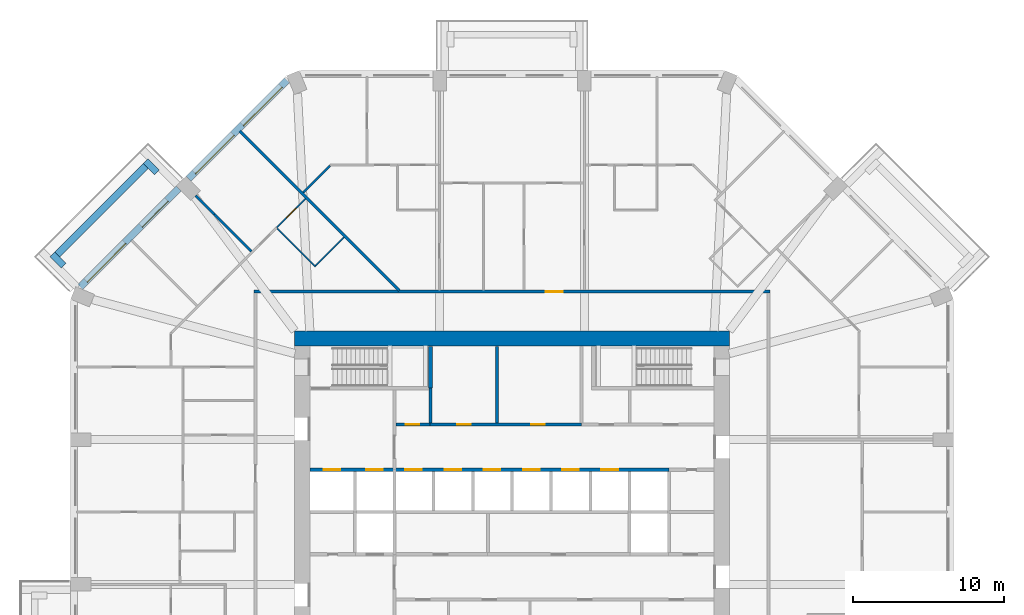
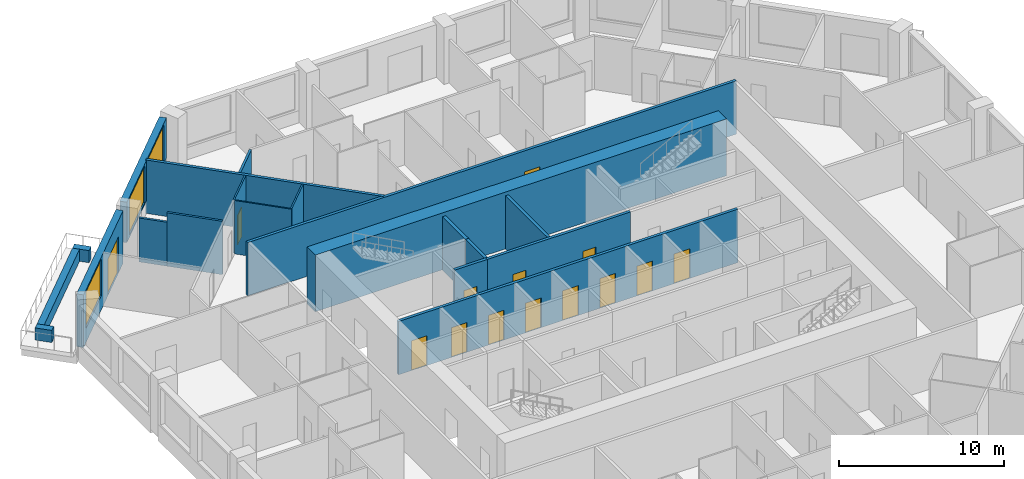
# One storey, part 8 of 13: 20 walls, 14 doors, 3 windows, 17 openings.
"""IFC4 building model written with IfcOpenShell, lengths in metres."""

from ifc_helpers import new_model, si_unit, direction, frame, frame_2d, origin, place, context, subcontext, project, spatial, rectangle, extrude, material, layer, layer_set, type_object, element, fill, save


model = new_model("IFC4")

# Units and contexts
model_context = context("Model", 3, precision=1e-05, world=origin(), true_north=direction((0.0, 1.0)))
body_context = subcontext(model_context, "Body", "Model", "MODEL_VIEW")
ifc_project = project(units=[si_unit("LENGTHUNIT", "METRE"), si_unit("AREAUNIT", "SQUARE_METRE"), si_unit("VOLUMEUNIT", "CUBIC_METRE"), si_unit("PLANEANGLEUNIT", "RADIAN"), si_unit("MASSUNIT", "GRAM", prefix="KILO")], contexts=[model_context])

# Site, building, storey
site_placement = place(None, origin())
site = spatial("IfcSite", under=ifc_project, at=site_placement, CompositionType="ELEMENT")
building_placement = place(site_placement, origin())
building = spatial("IfcBuilding", under=site, at=building_placement, Name="Msitu Wima Residences", CompositionType="ELEMENT")
storey_placement = place(building_placement, frame((0.0, 0.0, 80.10009765625)))
storey = spatial("IfcBuildingStorey", under=building, at=storey_placement, Name="L18", CompositionType="ELEMENT", Elevation=80.10009765625)

# Walls
ifc_material_1 = material(Name="Facing brick")
ifc_layer_1 = layer(ifc_material_1, 0.06494140625, Name="Facing brick")
ifc_material_2 = material(Name="Concrete C40/50", Category="concrete")
ifc_layer_2 = layer(ifc_material_2, 0.156005859375, Name="Concrete C40/50")
ifc_material_3 = material(Name="Waterproofing membrane")
ifc_layer_3 = layer(ifc_material_3, 0.00390625, Name="Waterproofing membrane")
ifc_material_4 = material(Name="Planting soil and planting")
ifc_layer_4 = layer(ifc_material_4, 0.22509765625, Name="Planting soil and planting")
ifc_layer_set_1 = layer_set([ifc_layer_1, ifc_layer_2, ifc_layer_3, ifc_layer_4], Name="Concrete C40/50")
wall_type_1 = type_object("IfcWallType", Name="Balcony planter PLANTER PL450", PredefinedType="USERDEFINED", material=ifc_layer_set_1)
wall_1_placement = place(storey_placement, frame((-24.269287109375, 22.92578125, 0.0), z_axis=(0.0, 0.0, 1.0), x_axis=(-0.707106781187, -0.707106781187, 0.0)))
element("IfcWall", 1, at=wall_1_placement, inside=storey, type_object=wall_type_1, Name="Balcony planter NW1 L18", ObjectType="PLANTER", PredefinedType="USERDEFINED", context=body_context, shape_type="SweptSolid", body=[
    extrude(rectangle(XDim=8.2822265625, YDim=0.449951171875, at=frame_2d((4.14111328125, 0.0))), origin(), (0.0, 0.0, 1.0), 0.89990234375),
])
for number, where, z_axis, x_axis, name in (
    (2, (-23.52685546875, 22.50146484375, 0.0), (0.0, 0.0, 1.0), (-0.706990528533, 0.707223014731, 0.0), "Balcony planter NW1 L18"),
    (3, (-29.70166015625, 16.326904296875, 0.0), (0.0, 0.0, 1.0), (-0.707106781187, 0.707106781187, 0.0), "Balcony planter NW1 L18"),
):
    element("IfcWall", number, at=place(storey_placement, frame(where, z_axis=z_axis, x_axis=x_axis)), inside=storey, type_object=wall_type_1, Name=name, ObjectType="PLANTER", PredefinedType="USERDEFINED", context=body_context, shape_type="SweptSolid", body=[
        extrude(rectangle(XDim=1.050048828125, YDim=0.449951171875, at=frame_2d((0.52490234375, 0.0))), origin(), (0.0, 0.0, 1.0), 0.89990234375),
    ])

# Wall, openings, windows
ifc_material_5 = material(Name="Brick (red buff mix)", Category="masonry")
ifc_layer_5 = layer(ifc_material_5, 0.449951171875)
ifc_layer_set_2 = layer_set([ifc_layer_5], Name="Brick (red buff mix)")
wall_type_2 = type_object("IfcWallType", Name="Brick infill wall BW450", PredefinedType="SOLIDWALL", material=ifc_layer_set_2)
wall_2_placement = place(storey_placement, frame((-14.903564453125, 28.61474609375, 0.89990234375), z_axis=(0.0, 0.0, 1.0), x_axis=(-0.707106781187, -0.707106781187, 0.0)))
wall_2 = element("IfcWall", 4, at=wall_2_placement, inside=storey, type_object=wall_type_2, Name="Brick infill wall L18 NW0", PredefinedType="SOLIDWALL", context=body_context, shape_type="SweptSolid", body=[
    extrude(rectangle(XDim=9.2451171875, YDim=0.449951171875, at=frame_2d((4.62255859375, 0.0))), origin(), (0.0, 0.0, 1.0), 3.0),
])
opening_1_placement = place(wall_2_placement, frame((0.572509765625, 0.0, 0.14990234375)))
opening_1 = element("IfcOpeningElement", 5, at=opening_1_placement, cuts=wall_2, Name="Opening W18-20.014", PredefinedType="OPENING", context=body_context, shape_type="SweptSolid", body=[
    extrude(rectangle(XDim=3.60009765625, YDim=2.699951171875, at=frame_2d((1.800048828125, 1.35009765625))), frame((0.0, 0.23486328125, 0.0), z_axis=(0.0, -1.0, 0.0), x_axis=(1.0, 0.0, 0.0)), (0.0, 0.0, 1.0), 0.469970703125),
])
opening_2_placement = place(wall_2_placement, frame((5.072509765625, 0.0, 0.14990234375)))
opening_2 = element("IfcOpeningElement", 6, at=opening_2_placement, cuts=wall_2, Name="Opening W18-20.015", PredefinedType="OPENING", context=body_context, shape_type="SweptSolid", body=[
    extrude(rectangle(XDim=3.60009765625, YDim=2.699951171875, at=frame_2d((1.800048828125, 1.35009765625))), frame((0.0, 0.23486328125, 0.0), z_axis=(0.0, -1.0, 0.0), x_axis=(1.0, 0.0, 0.0)), (0.0, 0.0, 1.0), 0.469970703125),
])
ifc_material_6 = material(Name="Anodised aluminium, bronze finish, clear low-emissivity double glazing", Category="aluminium")
window_type = type_object("IfcWindowType", Name="Window W3600x2700", PartitioningType="DOUBLE_PANEL_VERTICAL", PredefinedType="WINDOW", material=ifc_material_6)
window_1_placement = place(opening_1_placement, origin())
window_1 = element("IfcWindow", 7, at=window_1_placement, inside=storey, type_object=window_type, Name="Window L18 NW0.1", OverallHeight=2.699951171875, OverallWidth=3.60009765625, PartitioningType="SINGLE_PANEL", PredefinedType="WINDOW", context=body_context, shape_type="SweptSolid", body=[
    extrude(rectangle(XDim=3.60009765625, YDim=2.699951171875, at=frame_2d((1.800048828125, 1.35009765625))), frame((0.0, 0.135009765625, 0.0), z_axis=(0.0, -1.0, 0.0), x_axis=(1.0, 0.0, 0.0)), (0.0, 0.0, 1.0), 0.06005859375),
])
fill(opening_1, window_1)
window_2_placement = place(opening_2_placement, origin())
window_2 = element("IfcWindow", 8, at=window_2_placement, inside=storey, type_object=window_type, Name="Window L18 NW0.2", OverallHeight=2.699951171875, OverallWidth=3.60009765625, PartitioningType="SINGLE_PANEL", PredefinedType="WINDOW", context=body_context, shape_type="SweptSolid", body=[
    extrude(rectangle(XDim=3.60009765625, YDim=2.699951171875, at=frame_2d((1.800048828125, 1.35009765625))), frame((0.0, 0.135009765625, 0.0), z_axis=(0.0, -1.0, 0.0), x_axis=(1.0, 0.0, 0.0)), (0.0, 0.0, 1.0), 0.06005859375),
])
fill(opening_2, window_2)

# Wall, openings, door, window
wall_3_placement = place(storey_placement, frame((-22.077392578125, 21.44091796875, 0.0), z_axis=(0.0, 0.0, 1.0), x_axis=(-0.707106781187, -0.707106781187, 0.0)))
wall_3 = element("IfcWall", 9, at=wall_3_placement, inside=storey, type_object=wall_type_2, Name="Brick infill wall L18 NW1", PredefinedType="SOLIDWALL", context=body_context, shape_type="SweptSolid", body=[
    extrude(rectangle(XDim=9.2451171875, YDim=0.449951171875, at=frame_2d((4.62255859375, 0.0))), origin(), (0.0, 0.0, 1.0), 3.89990234375),
])
opening_3_placement = place(wall_3_placement, frame((1.111328125, 0.0, 0.0)))
opening_3 = element("IfcOpeningElement", 10, at=opening_3_placement, cuts=wall_3, Name="Opening D18-20.004", PredefinedType="OPENING", context=body_context, shape_type="SweptSolid", body=[
    extrude(rectangle(XDim=2.39990234375, YDim=2.699951171875, at=frame_2d((1.199951171875, 1.35009765625))), frame((0.0, 0.23486328125, 0.0), z_axis=(0.0, -1.0, 0.0), x_axis=(1.0, 0.0, 0.0)), (0.0, 0.0, 1.0), 0.469970703125),
])
opening_4_placement = place(wall_3_placement, frame((5.072509765625, 0.0, 1.050048828125)))
opening_4 = element("IfcOpeningElement", 11, at=opening_4_placement, cuts=wall_3, Name="Opening W18-20.016", PredefinedType="OPENING", context=body_context, shape_type="SweptSolid", body=[
    extrude(rectangle(XDim=3.60009765625, YDim=2.699951171875, at=frame_2d((1.800048828125, 1.35009765625))), frame((0.0, 0.23486328125, 0.0), z_axis=(0.0, -1.0, 0.0), x_axis=(1.0, 0.0, 0.0)), (0.0, 0.0, 1.0), 0.469970703125),
])
door_type_1 = type_object("IfcDoorType", Name="Balcony door D2400x2700", OperationType="SLIDING_TO_LEFT", PredefinedType="DOOR", material=ifc_material_6)
door_1_placement = place(opening_3_placement, origin())
door_1 = element("IfcDoor", 12, at=door_1_placement, inside=storey, type_object=door_type_1, Name="Balcony door L18 NW1", OperationType="SINGLE_SWING_LEFT", OverallHeight=2.699951171875, OverallWidth=2.39990234375, PredefinedType="DOOR", context=body_context, shape_type="SweptSolid", body=[
    extrude(rectangle(XDim=2.39990234375, YDim=2.699951171875, at=frame_2d((1.199951171875, 1.35009765625))), frame((0.0, 0.1298828125, 0.0), z_axis=(0.0, -1.0, 0.0), x_axis=(1.0, 0.0, 0.0)), (0.0, 0.0, 1.0), 0.050048828125),
])
fill(opening_3, door_1)
window_3_placement = place(opening_4_placement, origin())
window_3 = element("IfcWindow", 13, at=window_3_placement, inside=storey, type_object=window_type, Name="Window L18 NW1.2", OverallHeight=2.699951171875, OverallWidth=3.60009765625, PartitioningType="SINGLE_PANEL", PredefinedType="WINDOW", context=body_context, shape_type="SweptSolid", body=[
    extrude(rectangle(XDim=3.60009765625, YDim=2.699951171875, at=frame_2d((1.800048828125, 1.35009765625))), frame((0.0, 0.135009765625, 0.0), z_axis=(0.0, -1.0, 0.0), x_axis=(1.0, 0.0, 0.0)), (0.0, 0.0, 1.0), 0.06005859375),
])
fill(opening_4, window_3)

# Wall
ifc_material_7 = material(Name="Concrete C80/95", Category="concrete")
ifc_layer_6 = layer(ifc_material_7, 1.0)
ifc_layer_set_3 = layer_set([ifc_layer_6], Name="Concrete C80/95")
wall_type_3 = type_object("IfcWallType", Name="Core wall CW1000 C80/95", PredefinedType="SHEAR", material=ifc_layer_set_3)
wall_4_placement = place(storey_placement, frame((-14.39990234375, 11.5, 0.0), z_axis=(0.0, 0.0, 1.0), x_axis=(1.0, 0.0, 0.0)))
element("IfcWall", 14, at=wall_4_placement, inside=storey, type_object=wall_type_3, Name="Core wall", PredefinedType="SHEAR", context=body_context, shape_type="SweptSolid", body=[
    extrude(rectangle(XDim=28.7998046875, YDim=1.0, at=frame_2d((14.39990234375, 0.0))), origin(), (0.0, 0.0, 1.0), 4.199951171875),
])

# Wall, opening, door
ifc_material_8 = material(Name="Plaster")
ifc_layer_7 = layer(ifc_material_8, 0.011962890625, Name="Plaster")
ifc_material_9 = material(Name="Concrete blockwork", Category="masonry")
ifc_layer_8 = layer(ifc_material_9, 0.176025390625, Name="Concrete blockwork")
ifc_layer_9 = layer(ifc_material_8, 0.011962890625, Name="Plaster")
ifc_layer_set_4 = layer_set([ifc_layer_7, ifc_layer_8, ifc_layer_9], Name="Concrete blockwork")
wall_type_4 = type_object("IfcWallType", Name="Corridor wall FW200", PredefinedType="PARTITIONING", material=ifc_layer_set_4)
wall_5_placement = place(storey_placement, frame((-17.10009765625, 14.60009765625, 0.0), z_axis=(0.0, 0.0, 1.0), x_axis=(1.0, 0.0, 0.0)))
wall_5 = element("IfcWall", 15, at=wall_5_placement, inside=storey, type_object=wall_type_4, Name="Corridor wall", PredefinedType="PARTITIONING", context=body_context, shape_type="SweptSolid", body=[
    extrude(rectangle(XDim=34.2001953125, YDim=0.199951171875, at=frame_2d((17.10009765625, 0.0))), origin(), (0.0, 0.0, 1.0), 3.949951171875),
])
opening_5_placement = place(wall_5_placement, frame((19.35009765625, 0.0, 0.0)))
opening_5 = element("IfcOpeningElement", 16, at=opening_5_placement, cuts=wall_5, Name="Opening D18-20.008", PredefinedType="OPENING", context=body_context, shape_type="SweptSolid", body=[
    extrude(rectangle(XDim=1.10009765625, YDim=2.39990234375, at=frame_2d((0.550048828125, 1.199951171875))), frame((0.0, 0.10986328125, 0.0), z_axis=(0.0, -1.0, 0.0), x_axis=(1.0, 0.0, 0.0)), (0.0, 0.0, 1.0), 0.219970703125),
])
ifc_material_10 = material(Name="Timber flush door, fire resisting, self-closing", Category="wood")
door_type_2 = type_object("IfcDoorType", Name="Flat entrance door D01 1100x2400", OperationType="SINGLE_SWING_LEFT", PredefinedType="DOOR", material=ifc_material_10)
door_2_placement = place(opening_5_placement, origin())
door_2 = element("IfcDoor", 17, at=door_2_placement, inside=storey, type_object=door_type_2, Name="Flat entrance door", OperationType="SINGLE_SWING_RIGHT", OverallHeight=2.39990234375, OverallWidth=1.10009765625, PredefinedType="DOOR", context=body_context, shape_type="SweptSolid", body=[
    extrude(rectangle(XDim=1.10009765625, YDim=2.39990234375, at=frame_2d((0.550048828125, 1.199951171875))), frame((0.0, 0.02490234375, 0.0), z_axis=(0.0, -1.0, 0.0), x_axis=(1.0, 0.0, 0.0)), (0.0, 0.0, 1.0), 0.050048828125),
])
fill(opening_5, door_2)

wall_6_placement = place(storey_placement, frame((-7.699951171875, 5.800048828125, 0.0), z_axis=(0.0, 0.0, 1.0), x_axis=(1.0, 0.0, 0.0)))
wall_6 = element("IfcWall", 18, at=wall_6_placement, inside=storey, type_object=wall_type_4, Name="Corridor wall", PredefinedType="PARTITIONING", context=body_context, shape_type="SweptSolid", body=[
    extrude(rectangle(XDim=2.280029296875, YDim=0.199951171875, at=frame_2d((1.14013671875, 0.0))), origin(), (0.0, 0.0, 1.0), 3.949951171875),
])
opening_6_placement = place(wall_6_placement, frame((0.64990234375, 0.0, 0.0)))
opening_6 = element("IfcOpeningElement", 19, at=opening_6_placement, cuts=wall_6, Name="Opening D18-20.016", PredefinedType="OPENING", context=body_context, shape_type="SweptSolid", body=[
    extrude(rectangle(XDim=0.89990234375, YDim=2.199951171875, at=frame_2d((0.449951171875, 1.10009765625))), frame((0.0, 0.10986328125, 0.0), z_axis=(0.0, -1.0, 0.0), x_axis=(1.0, 0.0, 0.0)), (0.0, 0.0, 1.0), 0.219970703125),
])
ifc_material_11 = material(Name="Timber flush door", Category="wood")
door_type_3 = type_object("IfcDoorType", Name="Service door D05 900x2200", OperationType="SINGLE_SWING_LEFT", PredefinedType="DOOR", material=ifc_material_11)
door_3_placement = place(opening_6_placement, origin())
door_3 = element("IfcDoor", 20, at=door_3_placement, inside=storey, type_object=door_type_3, Name="Service door", OperationType="SINGLE_SWING_LEFT", OverallHeight=2.199951171875, OverallWidth=0.89990234375, PredefinedType="DOOR", context=body_context, shape_type="SweptSolid", body=[
    extrude(rectangle(XDim=0.89990234375, YDim=2.199951171875, at=frame_2d((0.449951171875, 1.10009765625))), frame((0.0, 0.02490234375, 0.0), z_axis=(0.0, -1.0, 0.0), x_axis=(1.0, 0.0, 0.0)), (0.0, 0.0, 1.0), 0.050048828125),
])
fill(opening_6, door_3)

# Walls
ifc_layer_10 = layer(ifc_material_8, 0.011962890625, Name="Plaster")
ifc_layer_11 = layer(ifc_material_9, 0.1259765625, Name="Concrete blockwork")
ifc_layer_12 = layer(ifc_material_8, 0.011962890625, Name="Plaster")
ifc_layer_set_5 = layer_set([ifc_layer_10, ifc_layer_11, ifc_layer_12], Name="Concrete blockwork")
wall_type_5 = type_object("IfcWallType", Name="Partition PW150", PredefinedType="PARTITIONING", material=ifc_layer_set_5)
wall_7_placement = place(storey_placement, frame((-20.963623046875, 20.963623046875, 0.0), z_axis=(0.0, 0.0, 1.0), x_axis=(0.707106781187, -0.707106781187, 0.0)))
element("IfcWall", 21, at=wall_7_placement, inside=storey, type_object=wall_type_5, Name="Partition", PredefinedType="PARTITIONING", context=body_context, shape_type="SweptSolid", body=[
    extrude(rectangle(XDim=1.74853515625, YDim=0.14990234375, at=frame_2d((0.874267578125, 0.0))), origin(), (0.0, 0.0, 1.0), 3.25),
])
wall_8_placement = place(storey_placement, frame((-19.727294921875, 19.727294921875, 0.0), z_axis=(0.0, 0.0, 1.0), x_axis=(0.707106781187, -0.707106781187, 0.0)))
element("IfcWall", 22, at=wall_8_placement, inside=storey, type_object=wall_type_5, Name="Partition", PredefinedType="PARTITIONING", context=body_context, shape_type="SweptSolid", body=[
    extrude(rectangle(XDim=3.4765625, YDim=0.14990234375, at=frame_2d((1.73828125, 0.0))), origin(), (0.0, 0.0, 1.0), 3.949951171875),
])
wall_9_placement = place(storey_placement, frame((-13.828125, 21.16943359375, 0.0), z_axis=(0.0, 0.0, 1.0), x_axis=(0.707106781187, 0.707106781187, 0.0)))
element("IfcWall", 23, at=wall_9_placement, inside=storey, type_object=wall_type_5, Name="Partition", PredefinedType="PARTITIONING", context=body_context, shape_type="SweptSolid", body=[
    extrude(rectangle(XDim=2.513916015625, YDim=0.14990234375, at=frame_2d((1.2568359375, 0.0))), origin(), (0.0, 0.0, 1.0), 3.949951171875),
])
ifc_layer_13 = layer(ifc_material_8, 0.011962890625, Name="Plaster")
ifc_material_12 = material(Name="Dense concrete blockwork", Category="masonry")
ifc_layer_14 = layer(ifc_material_12, 0.176025390625, Name="Dense concrete blockwork")
ifc_layer_15 = layer(ifc_material_8, 0.011962890625, Name="Plaster")
ifc_layer_set_6 = layer_set([ifc_layer_13, ifc_layer_14, ifc_layer_15], Name="Dense concrete blockwork")
wall_type_6 = type_object("IfcWallType", Name="Party wall PW200", PredefinedType="PARTITIONING", material=ifc_layer_set_6)
wall_10_placement = place(storey_placement, frame((-18.038818359375, 25.23876953125, 0.0), z_axis=(0.0, 0.0, 1.0), x_axis=(0.707106781187, -0.707106781187, 0.0)))
element("IfcWall", 24, at=wall_10_placement, inside=storey, type_object=wall_type_6, Name="Party wall", PredefinedType="PARTITIONING", context=body_context, shape_type="SweptSolid", body=[
    extrude(rectangle(XDim=14.945556640625, YDim=0.199951171875, at=frame_2d((7.47265625, 0.0))), origin(), (0.0, 0.0, 1.0), 3.949951171875),
])

# Wall, openings, doors
ifc_layer_16 = layer(ifc_material_8, 0.011962890625, Name="Plaster")
ifc_material_13 = material(Name="Reinforced concrete blockwork", Category="masonry")
ifc_layer_17 = layer(ifc_material_13, 0.176025390625, Name="Reinforced concrete blockwork")
ifc_layer_18 = layer(ifc_material_8, 0.011962890625, Name="Plaster")
ifc_layer_set_7 = layer_set([ifc_layer_16, ifc_layer_17, ifc_layer_18], Name="Reinforced concrete blockwork")
wall_type_7 = type_object("IfcWallType", Name="Plant and riser wall PL200", PredefinedType="PARTITIONING", material=ifc_layer_set_7)
wall_11_placement = place(storey_placement, frame((-5.419921875, 5.800048828125, 0.0), z_axis=(0.0, 0.0, 1.0), x_axis=(1.0, 0.0, 0.0)))
wall_11 = element("IfcWall", 25, at=wall_11_placement, inside=storey, type_object=wall_type_7, Name="Plant and riser wall", PredefinedType="PARTITIONING", context=body_context, shape_type="SweptSolid", body=[
    extrude(rectangle(XDim=10.0400390625, YDim=0.199951171875, at=frame_2d((5.02001953125, 0.0))), origin(), (0.0, 0.0, 1.0), 3.949951171875),
])
opening_7_placement = place(wall_11_placement, frame((1.800048828125, 0.0, 0.0)))
opening_7 = element("IfcOpeningElement", 26, at=opening_7_placement, cuts=wall_11, Name="Opening D18-20.017", PredefinedType="OPENING", context=body_context, shape_type="SweptSolid", body=[
    extrude(rectangle(XDim=0.89990234375, YDim=2.199951171875, at=frame_2d((0.449951171875, 1.10009765625))), frame((0.0, 0.10986328125, 0.0), z_axis=(0.0, -1.0, 0.0), x_axis=(1.0, 0.0, 0.0)), (0.0, 0.0, 1.0), 0.219970703125),
])
opening_8_placement = place(wall_11_placement, frame((6.699951171875, 0.0, 0.0)))
opening_8 = element("IfcOpeningElement", 27, at=opening_8_placement, cuts=wall_11, Name="Opening D18-20.018", PredefinedType="OPENING", context=body_context, shape_type="SweptSolid", body=[
    extrude(rectangle(XDim=0.89990234375, YDim=2.199951171875, at=frame_2d((0.449951171875, 1.10009765625))), frame((0.0, 0.10986328125, 0.0), z_axis=(0.0, -1.0, 0.0), x_axis=(1.0, 0.0, 0.0)), (0.0, 0.0, 1.0), 0.219970703125),
])
door_4_placement = place(opening_7_placement, origin())
door_4 = element("IfcDoor", 28, at=door_4_placement, inside=storey, type_object=door_type_3, Name="Service door", OperationType="SINGLE_SWING_RIGHT", OverallHeight=2.199951171875, OverallWidth=0.89990234375, PredefinedType="DOOR", context=body_context, shape_type="SweptSolid", body=[
    extrude(rectangle(XDim=0.89990234375, YDim=2.199951171875, at=frame_2d((0.449951171875, 1.10009765625))), frame((0.0, 0.02490234375, 0.0), z_axis=(0.0, -1.0, 0.0), x_axis=(1.0, 0.0, 0.0)), (0.0, 0.0, 1.0), 0.050048828125),
])
fill(opening_7, door_4)
door_5_placement = place(opening_8_placement, origin())
door_5 = element("IfcDoor", 29, at=door_5_placement, inside=storey, type_object=door_type_3, Name="Service door", OperationType="SINGLE_SWING_LEFT", OverallHeight=2.199951171875, OverallWidth=0.89990234375, PredefinedType="DOOR", context=body_context, shape_type="SweptSolid", body=[
    extrude(rectangle(XDim=0.89990234375, YDim=2.199951171875, at=frame_2d((0.449951171875, 1.10009765625))), frame((0.0, 0.02490234375, 0.0), z_axis=(0.0, -1.0, 0.0), x_axis=(1.0, 0.0, 0.0)), (0.0, 0.0, 1.0), 0.050048828125),
])
fill(opening_8, door_5)

# Walls
wall_12_placement = place(storey_placement, frame((-5.39990234375, 5.89990234375, 0.0), z_axis=(0.0, 0.0, 1.0), x_axis=(0.0, 1.0, 0.0)))
element("IfcWall", 30, at=wall_12_placement, inside=storey, type_object=wall_type_7, Name="Plant and riser wall", PredefinedType="PARTITIONING", context=body_context, shape_type="SweptSolid", body=[
    extrude(rectangle(XDim=2.300048828125, YDim=0.199951171875, at=frame_2d((1.14990234375, 0.0))), origin(), (0.0, 0.0, 1.0), 3.949951171875),
])
wall_13_placement = place(storey_placement, frame((-1.0, 5.89990234375, 0.0), z_axis=(0.0, 0.0, 1.0), x_axis=(0.0, 1.0, 0.0)))
element("IfcWall", 31, at=wall_13_placement, inside=storey, type_object=wall_type_7, Name="Plant and riser wall", PredefinedType="PARTITIONING", context=body_context, shape_type="SweptSolid", body=[
    extrude(rectangle(XDim=5.070068359375, YDim=0.199951171875, at=frame_2d((2.53515625, 0.0))), origin(), (0.0, 0.0, 1.0), 3.949951171875),
])

# Wall, openings, doors
ifc_material_14 = material(Name="Fire-rated board")
ifc_layer_19 = layer(ifc_material_14, 0.02490234375, Name="Fire-rated board")
ifc_material_15 = material(Name="Light-gauge stud framing with mineral wool")
ifc_layer_20 = layer(ifc_material_15, 0.14990234375, Name="Light-gauge stud framing with mineral wool")
ifc_layer_21 = layer(ifc_material_14, 0.02490234375, Name="Fire-rated board")
ifc_layer_set_8 = layer_set([ifc_layer_19, ifc_layer_20, ifc_layer_21], Name="Light-gauge stud framing with mineral wool")
wall_type_8 = type_object("IfcWallType", Name="Shaft wall SH200", PredefinedType="PARTITIONING", material=ifc_layer_set_8)
wall_14_placement = place(storey_placement, frame((-13.3701171875, 2.800048828125, 0.0), z_axis=(0.0, 0.0, 1.0), x_axis=(1.0, 0.0, 0.0)))
wall_14 = element("IfcWall", 32, at=wall_14_placement, inside=storey, type_object=wall_type_8, Name="Shaft wall", PredefinedType="PARTITIONING", context=body_context, shape_type="SweptSolid", body=[
    extrude(rectangle(XDim=23.77001953125, YDim=0.199951171875, at=frame_2d((11.885009765625, 0.0))), origin(), (0.0, 0.0, 1.0), 3.949951171875),
])
opening_9_placement = place(wall_14_placement, frame((0.89990234375, 0.0, 0.0)))
opening_9 = element("IfcOpeningElement", 33, at=opening_9_placement, cuts=wall_14, Name="Opening LD", PredefinedType="OPENING", context=body_context, shape_type="SweptSolid", body=[
    extrude(rectangle(XDim=1.10009765625, YDim=2.199951171875, at=frame_2d((0.550048828125, 1.10009765625))), frame((0.0, 0.10986328125, 0.0), z_axis=(0.0, -1.0, 0.0), x_axis=(1.0, 0.0, 0.0)), (0.0, 0.0, 1.0), 0.219970703125),
])
opening_10_placement = place(wall_14_placement, frame((3.699951171875, 0.0, 0.0)))
opening_10 = element("IfcOpeningElement", 34, at=opening_10_placement, cuts=wall_14, Name="Opening LD", PredefinedType="OPENING", context=body_context, shape_type="SweptSolid", body=[
    extrude(rectangle(XDim=1.10009765625, YDim=2.199951171875, at=frame_2d((0.550048828125, 1.10009765625))), frame((0.0, 0.10986328125, 0.0), z_axis=(0.0, -1.0, 0.0), x_axis=(1.0, 0.0, 0.0)), (0.0, 0.0, 1.0), 0.219970703125),
])
opening_11_placement = place(wall_14_placement, frame((6.300048828125, 0.0, 0.0)))
opening_11 = element("IfcOpeningElement", 35, at=opening_11_placement, cuts=wall_14, Name="Opening LD", PredefinedType="OPENING", context=body_context, shape_type="SweptSolid", body=[
    extrude(rectangle(XDim=1.10009765625, YDim=2.199951171875, at=frame_2d((0.550048828125, 1.10009765625))), frame((0.0, 0.10986328125, 0.0), z_axis=(0.0, -1.0, 0.0), x_axis=(1.0, 0.0, 0.0)), (0.0, 0.0, 1.0), 0.219970703125),
])
opening_12_placement = place(wall_14_placement, frame((8.89990234375, 0.0, 0.0)))
opening_12 = element("IfcOpeningElement", 36, at=opening_12_placement, cuts=wall_14, Name="Opening LD", PredefinedType="OPENING", context=body_context, shape_type="SweptSolid", body=[
    extrude(rectangle(XDim=1.10009765625, YDim=2.199951171875, at=frame_2d((0.550048828125, 1.10009765625))), frame((0.0, 0.10986328125, 0.0), z_axis=(0.0, -1.0, 0.0), x_axis=(1.0, 0.0, 0.0)), (0.0, 0.0, 1.0), 0.219970703125),
])
opening_13_placement = place(wall_14_placement, frame((11.5, 0.0, 0.0)))
opening_13 = element("IfcOpeningElement", 37, at=opening_13_placement, cuts=wall_14, Name="Opening LD", PredefinedType="OPENING", context=body_context, shape_type="SweptSolid", body=[
    extrude(rectangle(XDim=1.10009765625, YDim=2.199951171875, at=frame_2d((0.550048828125, 1.10009765625))), frame((0.0, 0.10986328125, 0.0), z_axis=(0.0, -1.0, 0.0), x_axis=(1.0, 0.0, 0.0)), (0.0, 0.0, 1.0), 0.219970703125),
])
opening_14_placement = place(wall_14_placement, frame((14.10009765625, 0.0, 0.0)))
opening_14 = element("IfcOpeningElement", 38, at=opening_14_placement, cuts=wall_14, Name="Opening LD", PredefinedType="OPENING", context=body_context, shape_type="SweptSolid", body=[
    extrude(rectangle(XDim=1.10009765625, YDim=2.199951171875, at=frame_2d((0.550048828125, 1.10009765625))), frame((0.0, 0.10986328125, 0.0), z_axis=(0.0, -1.0, 0.0), x_axis=(1.0, 0.0, 0.0)), (0.0, 0.0, 1.0), 0.219970703125),
])
opening_15_placement = place(wall_14_placement, frame((16.699951171875, 0.0, 0.0)))
opening_15 = element("IfcOpeningElement", 39, at=opening_15_placement, cuts=wall_14, Name="Opening LD", PredefinedType="OPENING", context=body_context, shape_type="SweptSolid", body=[
    extrude(rectangle(XDim=1.10009765625, YDim=2.199951171875, at=frame_2d((0.550048828125, 1.10009765625))), frame((0.0, 0.10986328125, 0.0), z_axis=(0.0, -1.0, 0.0), x_axis=(1.0, 0.0, 0.0)), (0.0, 0.0, 1.0), 0.219970703125),
])
opening_16_placement = place(wall_14_placement, frame((19.300048828125, 0.0, 0.0)))
opening_16 = element("IfcOpeningElement", 40, at=opening_16_placement, cuts=wall_14, Name="Opening LD", PredefinedType="OPENING", context=body_context, shape_type="SweptSolid", body=[
    extrude(rectangle(XDim=1.10009765625, YDim=2.199951171875, at=frame_2d((0.550048828125, 1.10009765625))), frame((0.0, 0.10986328125, 0.0), z_axis=(0.0, -1.0, 0.0), x_axis=(1.0, 0.0, 0.0)), (0.0, 0.0, 1.0), 0.219970703125),
])
ifc_material_16 = material(Name="Stainless steel centre-opening landing door, rated", Category="steel")
door_type_4 = type_object("IfcDoorType", Name="Lift landing door LD 1100x2200", OperationType="DOUBLE_DOOR_SLIDING", PredefinedType="DOOR", material=ifc_material_16)
door_6_placement = place(opening_9_placement, origin())
door_6 = element("IfcDoor", 41, at=door_6_placement, inside=storey, type_object=door_type_4, Name="Lift landing door LD1", OperationType="DOUBLE_DOOR_SLIDING", OverallHeight=2.199951171875, OverallWidth=1.10009765625, PredefinedType="DOOR", context=body_context, shape_type="SweptSolid", body=[
    extrude(rectangle(XDim=1.10009765625, YDim=2.199951171875, at=frame_2d((0.550048828125, 1.10009765625))), frame((0.0, 0.02490234375, 0.0), z_axis=(0.0, -1.0, 0.0), x_axis=(1.0, 0.0, 0.0)), (0.0, 0.0, 1.0), 0.050048828125),
])
fill(opening_9, door_6)
door_7_placement = place(opening_10_placement, origin())
door_7 = element("IfcDoor", 42, at=door_7_placement, inside=storey, type_object=door_type_4, Name="Lift landing door LD2", OperationType="DOUBLE_DOOR_SLIDING", OverallHeight=2.199951171875, OverallWidth=1.10009765625, PredefinedType="DOOR", context=body_context, shape_type="SweptSolid", body=[
    extrude(rectangle(XDim=1.10009765625, YDim=2.199951171875, at=frame_2d((0.550048828125, 1.10009765625))), frame((0.0, 0.02490234375, 0.0), z_axis=(0.0, -1.0, 0.0), x_axis=(1.0, 0.0, 0.0)), (0.0, 0.0, 1.0), 0.050048828125),
])
fill(opening_10, door_7)
door_8_placement = place(opening_11_placement, origin())
door_8 = element("IfcDoor", 43, at=door_8_placement, inside=storey, type_object=door_type_4, Name="Lift landing door LD4", OperationType="DOUBLE_DOOR_SLIDING", OverallHeight=2.199951171875, OverallWidth=1.10009765625, PredefinedType="DOOR", context=body_context, shape_type="SweptSolid", body=[
    extrude(rectangle(XDim=1.10009765625, YDim=2.199951171875, at=frame_2d((0.550048828125, 1.10009765625))), frame((0.0, 0.02490234375, 0.0), z_axis=(0.0, -1.0, 0.0), x_axis=(1.0, 0.0, 0.0)), (0.0, 0.0, 1.0), 0.050048828125),
])
fill(opening_11, door_8)
door_9_placement = place(opening_12_placement, origin())
door_9 = element("IfcDoor", 44, at=door_9_placement, inside=storey, type_object=door_type_4, Name="Lift landing door LD6", OperationType="DOUBLE_DOOR_SLIDING", OverallHeight=2.199951171875, OverallWidth=1.10009765625, PredefinedType="DOOR", context=body_context, shape_type="SweptSolid", body=[
    extrude(rectangle(XDim=1.10009765625, YDim=2.199951171875, at=frame_2d((0.550048828125, 1.10009765625))), frame((0.0, 0.02490234375, 0.0), z_axis=(0.0, -1.0, 0.0), x_axis=(1.0, 0.0, 0.0)), (0.0, 0.0, 1.0), 0.050048828125),
])
fill(opening_12, door_9)
door_10_placement = place(opening_13_placement, origin())
door_10 = element("IfcDoor", 45, at=door_10_placement, inside=storey, type_object=door_type_4, Name="Lift landing door LD8", OperationType="DOUBLE_DOOR_SLIDING", OverallHeight=2.199951171875, OverallWidth=1.10009765625, PredefinedType="DOOR", context=body_context, shape_type="SweptSolid", body=[
    extrude(rectangle(XDim=1.10009765625, YDim=2.199951171875, at=frame_2d((0.550048828125, 1.10009765625))), frame((0.0, 0.02490234375, 0.0), z_axis=(0.0, -1.0, 0.0), x_axis=(1.0, 0.0, 0.0)), (0.0, 0.0, 1.0), 0.050048828125),
])
fill(opening_13, door_10)
door_11_placement = place(opening_14_placement, origin())
door_11 = element("IfcDoor", 46, at=door_11_placement, inside=storey, type_object=door_type_4, Name="Lift landing door LD10", OperationType="DOUBLE_DOOR_SLIDING", OverallHeight=2.199951171875, OverallWidth=1.10009765625, PredefinedType="DOOR", context=body_context, shape_type="SweptSolid", body=[
    extrude(rectangle(XDim=1.10009765625, YDim=2.199951171875, at=frame_2d((0.550048828125, 1.10009765625))), frame((0.0, 0.02490234375, 0.0), z_axis=(0.0, -1.0, 0.0), x_axis=(1.0, 0.0, 0.0)), (0.0, 0.0, 1.0), 0.050048828125),
])
fill(opening_14, door_11)
door_12_placement = place(opening_15_placement, origin())
door_12 = element("IfcDoor", 47, at=door_12_placement, inside=storey, type_object=door_type_4, Name="Lift landing door LD12", OperationType="DOUBLE_DOOR_SLIDING", OverallHeight=2.199951171875, OverallWidth=1.10009765625, PredefinedType="DOOR", context=body_context, shape_type="SweptSolid", body=[
    extrude(rectangle(XDim=1.10009765625, YDim=2.199951171875, at=frame_2d((0.550048828125, 1.10009765625))), frame((0.0, 0.02490234375, 0.0), z_axis=(0.0, -1.0, 0.0), x_axis=(1.0, 0.0, 0.0)), (0.0, 0.0, 1.0), 0.050048828125),
])
fill(opening_15, door_12)
door_13_placement = place(opening_16_placement, origin())
door_13 = element("IfcDoor", 48, at=door_13_placement, inside=storey, type_object=door_type_4, Name="Lift landing door LD14", OperationType="DOUBLE_DOOR_SLIDING", OverallHeight=2.199951171875, OverallWidth=1.10009765625, PredefinedType="DOOR", context=body_context, shape_type="SweptSolid", body=[
    extrude(rectangle(XDim=1.10009765625, YDim=2.199951171875, at=frame_2d((0.550048828125, 1.10009765625))), frame((0.0, 0.02490234375, 0.0), z_axis=(0.0, -1.0, 0.0), x_axis=(1.0, 0.0, 0.0)), (0.0, 0.0, 1.0), 0.050048828125),
])
fill(opening_16, door_13)

# Wall
ifc_material_17 = material(Name="Concrete C50/60", Category="concrete")
ifc_layer_22 = layer(ifc_material_17, 0.25)
ifc_layer_set_9 = layer_set([ifc_layer_22], Name="Concrete C50/60")
wall_type_9 = type_object("IfcWallType", Name="Stair enclosure wall SW250", PredefinedType="SHEAR", material=ifc_layer_set_9)
wall_15_placement = place(storey_placement, frame((-5.39990234375, 8.199951171875, 0.0), z_axis=(0.0, 0.0, 1.0), x_axis=(0.0, 1.0, 0.0)))
element("IfcWall", 49, at=wall_15_placement, inside=storey, type_object=wall_type_9, Name="Stair enclosure wall", PredefinedType="SHEAR", context=body_context, shape_type="SweptSolid", body=[
    extrude(rectangle(XDim=2.77001953125, YDim=0.25, at=frame_2d((1.385009765625, 0.0))), origin(), (0.0, 0.0, 1.0), 3.949951171875),
])

# Wall, opening, door
ifc_material_18 = material(Name="Ceramic tiles")
ifc_layer_23 = layer(ifc_material_18, 0.008056640625, Name="Ceramic tiles")
ifc_material_19 = material(Name="Moisture-resistant board")
ifc_layer_24 = layer(ifc_material_19, 0.012451171875, Name="Moisture-resistant board")
ifc_layer_25 = layer(ifc_material_15, 0.06689453125, Name="Light-gauge stud framing with mineral wool")
ifc_layer_26 = layer(ifc_material_19, 0.012451171875, Name="Moisture-resistant board")
ifc_layer_set_10 = layer_set([ifc_layer_23, ifc_layer_24, ifc_layer_25, ifc_layer_26], Name="Light-gauge stud framing with mineral wool")
wall_type_10 = type_object("IfcWallType", Name="Wet wall PW100", PredefinedType="PARTITIONING", material=ifc_layer_set_10)
wall_16_placement = place(storey_placement, frame((-15.581787109375, 18.85009765625, 0.0), z_axis=(0.0, 0.0, 1.0), x_axis=(0.707106781187, 0.707106781187, 0.0)))
wall_16 = element("IfcWall", 50, at=wall_16_placement, inside=storey, type_object=wall_type_10, Name="Wet wall", PredefinedType="PARTITIONING", context=body_context, shape_type="SweptSolid", body=[
    extrude(rectangle(XDim=2.679931640625, YDim=0.10009765625, at=frame_2d((1.33984375, 0.0))), origin(), (0.0, 0.0, 1.0), 3.949951171875),
])
opening_17_placement = place(wall_16_placement, frame((0.89990234375, 0.0, 0.0)))
opening_17 = element("IfcOpeningElement", 51, at=opening_17_placement, cuts=wall_16, Name="Opening D18-20.052", PredefinedType="OPENING", context=body_context, shape_type="SweptSolid", body=[
    extrude(rectangle(XDim=0.89990234375, YDim=2.199951171875, at=frame_2d((0.449951171875, 1.10009765625))), frame((0.0, 0.06005859375, 0.0), z_axis=(0.0, -1.0, 0.0), x_axis=(1.0, 0.0, 0.0)), (0.0, 0.0, 1.0), 0.1201171875),
])
ifc_material_20 = material(Name="Timber flush door, moisture resistant", Category="wood")
door_type_5 = type_object("IfcDoorType", Name="Bathroom door D03 900x2200", OperationType="SINGLE_SWING_LEFT", PredefinedType="DOOR", material=ifc_material_20)
door_14_placement = place(opening_17_placement, origin())
door_14 = element("IfcDoor", 52, at=door_14_placement, inside=storey, type_object=door_type_5, Name="Bathroom door", OperationType="SINGLE_SWING_RIGHT", OverallHeight=2.199951171875, OverallWidth=0.89990234375, PredefinedType="DOOR", context=body_context, shape_type="SweptSolid", body=[
    extrude(rectangle(XDim=0.89990234375, YDim=2.199951171875, at=frame_2d((0.449951171875, 1.10009765625))), frame((0.0, 0.02490234375, 0.0), z_axis=(0.0, -1.0, 0.0), x_axis=(1.0, 0.0, 0.0)), (0.0, 0.0, 1.0), 0.050048828125),
])
fill(opening_17, door_14)

# Walls
wall_17_placement = place(storey_placement, frame((-15.542724609375, 18.782958984375, 0.0), z_axis=(0.0, 0.0, 1.0), x_axis=(0.707106781187, -0.707106781187, 0.0)))
element("IfcWall", 53, at=wall_17_placement, inside=storey, type_object=wall_type_10, Name="Wet wall", PredefinedType="PARTITIONING", context=body_context, shape_type="SweptSolid", body=[
    extrude(rectangle(XDim=3.574951171875, YDim=0.10009765625, at=frame_2d((1.78759765625, 0.0))), origin(), (0.0, 0.0, 1.0), 3.949951171875),
])
wall_18_placement = place(storey_placement, frame((-13.014892578125, 16.325927734375, 0.0), z_axis=(0.0, 0.0, 1.0), x_axis=(0.707106781187, 0.707106781187, 0.0)))
element("IfcWall", 54, at=wall_18_placement, inside=storey, type_object=wall_type_10, Name="Wet wall", PredefinedType="PARTITIONING", context=body_context, shape_type="SweptSolid", body=[
    extrude(rectangle(XDim=2.64990234375, YDim=0.10009765625, at=frame_2d((1.324951171875, 0.0))), origin(), (0.0, 0.0, 1.0), 3.949951171875),
])

save(model, "model.ifc")
